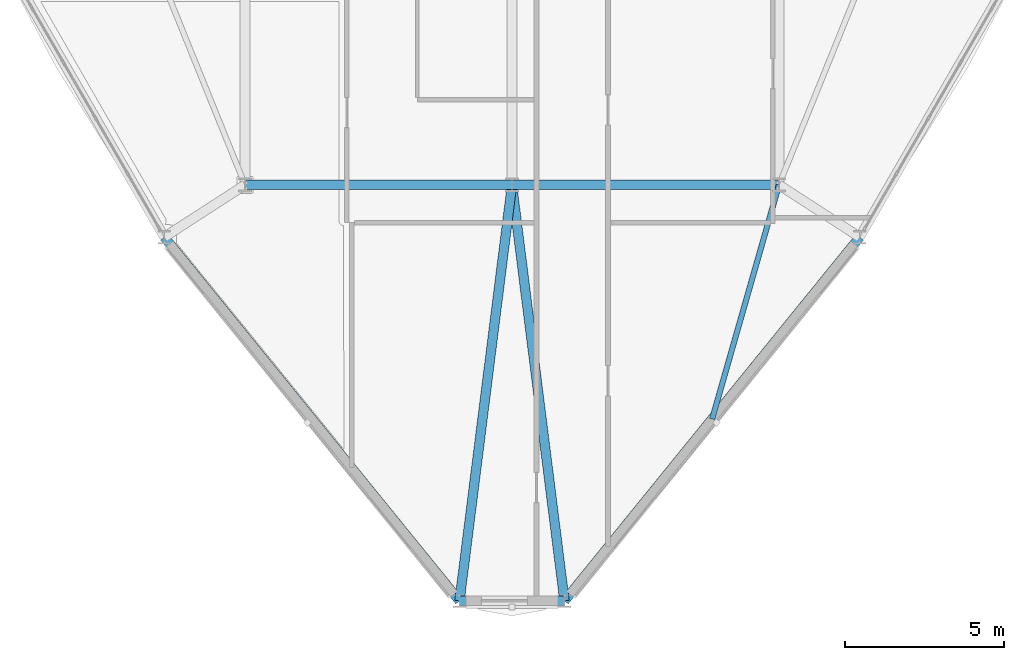
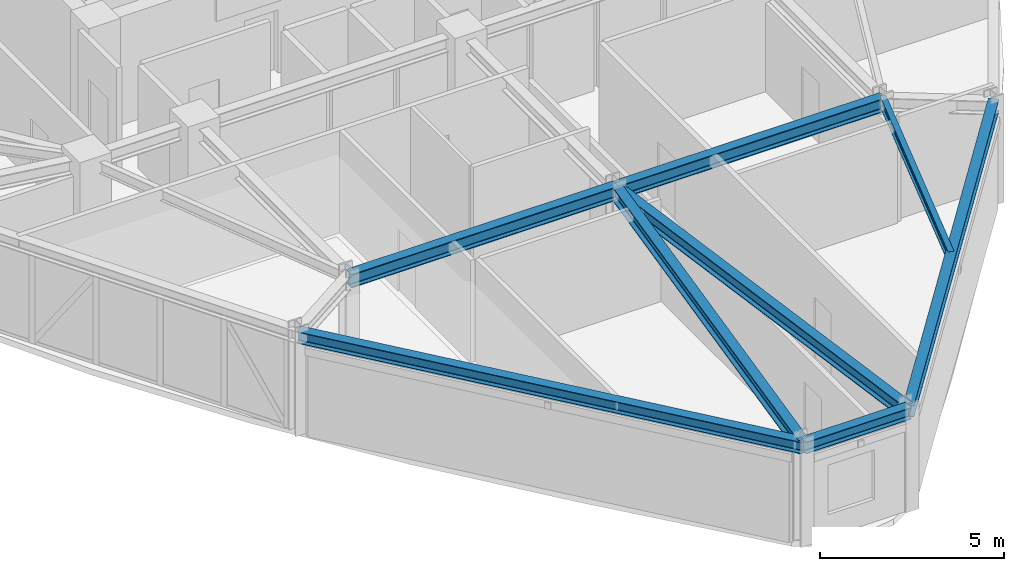
# One storey, part 3 of 14: 8 beams.
"""IFC4 building model written with IfcOpenShell, lengths in metres."""

from ifc_helpers import new_model, si_unit, derived_unit, direction, frame, origin, origin_2d, place, context, subcontext, project, spatial, i_section, extrude, source, transform, mapped, material, material_profile, profile_set, type_object, element, save


model = new_model("IFC4")

# Units and contexts
model_context = context("Model", 3, precision=1e-05, world=origin(), true_north=direction((0.0, 1.0)))
body_context = subcontext(model_context, "Body", "Model", "MODEL_VIEW")
ifc_project = project(units=[si_unit("LENGTHUNIT", "METRE"), si_unit("AREAUNIT", "SQUARE_METRE"), si_unit("VOLUMEUNIT", "CUBIC_METRE"), si_unit("PLANEANGLEUNIT", "RADIAN"), si_unit("MASSUNIT", "GRAM", prefix="KILO"), derived_unit("THERMALTRANSMITTANCEUNIT", [(si_unit("POWERUNIT", "WATT"), 1), (si_unit("LENGTHUNIT", "METRE"), -2), (si_unit("THERMODYNAMICTEMPERATUREUNIT", "KELVIN"), -1)])], contexts=[model_context])

# Site, building, storey
site_placement = place(None, origin())
site = spatial("IfcSite", under=ifc_project, at=site_placement, CompositionType="ELEMENT")
building_placement = place(site_placement, origin())
building = spatial("IfcBuilding", under=site, at=building_placement, Name="Korsvarv Bourse and Concert Hall", CompositionType="ELEMENT")
storey_placement = place(building_placement, frame((0.0, 0.0, 172.199951171875)))
storey = spatial("IfcBuildingStorey", under=building, at=storey_placement, Name="L44", CompositionType="ELEMENT", Elevation=172.199951171875)

# Beams
ifc_material = material(Name="Steel S355", Category="steel")
ifc_material_profile_1 = material_profile(ifc_material, i_section(OverallWidth=0.300048828125, OverallDepth=0.449951171875, WebThickness=0.013916015625, FlangeThickness=0.02587890625, FilletRadius=0.02099609375, at=origin_2d()), Name="HEB 450")
ifc_profile_set_1 = profile_set([ifc_material_profile_1], Name="Steel S355")
beam_type_1 = type_object("IfcBeamType", Name="BM-HEB450", PredefinedType="SPANDREL", material=ifc_profile_set_1)
shared_shape_1 = source(origin(), body_context, "Body", "SweptSolid", [
    extrude(i_section(OverallWidth=0.300048828125, OverallDepth=0.449951171875, WebThickness=0.013916015625, FlangeThickness=0.02587890625, FilletRadius=0.02099609375, at=origin_2d()), origin(), (0.0, 0.0, 1.0), 8.39990234375),
])
for number, where, z_axis, x_axis, name in (
    (1, (27.60009765625, 24.0, 3.175048828125), (1.0, 0.0, 0.0), (0.0, 1.0, 0.0), "L44 beam B-08"),
    (2, (36.0, 24.0, 3.175048828125), (1.0, 0.0, 0.0), (0.0, 1.0, 0.0), "L44 beam B-08"),
):
    element("IfcBeam", number, at=place(storey_placement, frame(where, z_axis=z_axis, x_axis=x_axis)), inside=storey, type_object=beam_type_1, Name=name, PredefinedType="SPANDREL", context=body_context, shape_type="MappedRepresentation", body=[
        mapped(shared_shape_1, transform((0.0, 0.0, 0.0), scale=1.0)),
    ])
shared_shape_2 = source(origin(), body_context, "Body", "SweptSolid", [
    extrude(i_section(OverallWidth=0.300048828125, OverallDepth=0.449951171875, WebThickness=0.013916015625, FlangeThickness=0.02587890625, FilletRadius=0.02099609375, at=origin_2d()), origin(), (0.0, 0.0, 1.0), 13.193115234375),
])
for number, where, z_axis, x_axis, name in (
    (3, (34.348388671875, 10.91064453125, 3.175048828125), (0.125187092462, 0.992133152294, 0.0), (-0.992133152294, 0.125187092462, 0.0), "L44 beam B-08"),
    (4, (37.651611328125, 10.91064453125, 3.175048828125), (-0.125187092462, 0.992133152294, 0.0), (-0.992133152294, -0.125187092462, 0.0), "L44 beam B-08"),
):
    element("IfcBeam", number, at=place(storey_placement, frame(where, z_axis=z_axis, x_axis=x_axis)), inside=storey, type_object=beam_type_1, Name=name, PredefinedType="SPANDREL", context=body_context, shape_type="MappedRepresentation", body=[
        mapped(shared_shape_2, transform((0.0, 0.0, 0.0), scale=1.0)),
    ])
ifc_material_profile_2 = material_profile(ifc_material, i_section(OverallWidth=0.300048828125, OverallDepth=0.389892578125, WebThickness=0.010986328125, FlangeThickness=0.01904296875, FilletRadius=0.02099609375, at=origin_2d()), Name="HEA 400")
ifc_profile_set_2 = profile_set([ifc_material_profile_2], Name="Steel S355")
beam_type_2 = type_object("IfcBeamType", Name="BM-HEA400", PredefinedType="BEAM", material=ifc_profile_set_2)
shared_shape_3 = source(origin(), body_context, "Body", "SweptSolid", [
    extrude(i_section(OverallWidth=0.300048828125, OverallDepth=0.389892578125, WebThickness=0.010986328125, FlangeThickness=0.01904296875, FilletRadius=0.02099609375, at=origin_2d()), origin(), (0.0, 0.0, 1.0), 3.30322265625),
])
beam_1_placement = place(storey_placement, frame((34.348388671875, 10.91064453125, 3.205078125), z_axis=(1.0, 0.0, 0.0), x_axis=(0.0, 1.0, 0.0)))
element("IfcBeam", 5, at=beam_1_placement, inside=storey, type_object=beam_type_2, Name="L44 beam B-11", PredefinedType="BEAM", context=body_context, shape_type="MappedRepresentation", body=[
    mapped(shared_shape_3, transform((0.0, 0.0, 0.0), scale=1.0)),
])
shared_shape_4 = source(origin(), body_context, "Body", "SweptSolid", [
    extrude(i_section(OverallWidth=0.300048828125, OverallDepth=0.389892578125, WebThickness=0.010986328125, FlangeThickness=0.01904296875, FilletRadius=0.02099609375, at=origin_2d()), origin(), (0.0, 0.0, 1.0), 14.739990234375),
])
for number, where, z_axis, x_axis, name in (
    (6, (25.060302734375, 22.356201171875, 3.205078125), (0.630125471289, -0.77649332929, 0.0), (0.77649332929, 0.630125471289, 0.0), "L44 beam B-11"),
    (7, (37.651611328125, 10.91064453125, 3.205078125), (0.630125471289, 0.77649332929, 0.0), (-0.77649332929, 0.630125471289, 0.0), "L44 beam B-11"),
):
    element("IfcBeam", number, at=place(storey_placement, frame(where, z_axis=z_axis, x_axis=x_axis)), inside=storey, type_object=beam_type_2, Name=name, PredefinedType="BEAM", context=body_context, shape_type="MappedRepresentation", body=[
        mapped(shared_shape_4, transform((0.0, 0.0, 0.0), scale=1.0)),
    ])
ifc_material_profile_3 = material_profile(ifc_material, i_section(OverallWidth=0.169921875, OverallDepth=0.360107421875, WebThickness=0.008056640625, FlangeThickness=0.0126953125, FilletRadius=0.01806640625, at=origin_2d()), Name="IPE 360")
ifc_profile_set_3 = profile_set([ifc_material_profile_3], Name="Steel S355")
beam_type_3 = type_object("IfcBeamType", Name="BM-IPE360", PredefinedType="JOIST", material=ifc_profile_set_3)
shared_shape_5 = source(origin(), body_context, "Body", "SweptSolid", [
    extrude(i_section(OverallWidth=0.169921875, OverallDepth=0.360107421875, WebThickness=0.008056640625, FlangeThickness=0.0126953125, FilletRadius=0.01806640625, at=origin_2d()), origin(), (0.0, 0.0, 1.0), 7.661376953125),
])
beam_2_placement = place(storey_placement, frame((42.295654296875, 16.63330078125, 3.219970703125), z_axis=(0.274657995415, 0.961541983251, 0.0), x_axis=(-0.961541983251, 0.274657995415, 0.0)))
element("IfcBeam", 8, at=beam_2_placement, inside=storey, type_object=beam_type_3, Name="L44 beam J-06", PredefinedType="JOIST", context=body_context, shape_type="MappedRepresentation", body=[
    mapped(shared_shape_5, transform((0.0, 0.0, 0.0), scale=1.0)),
])

save(model, "model.ifc")
